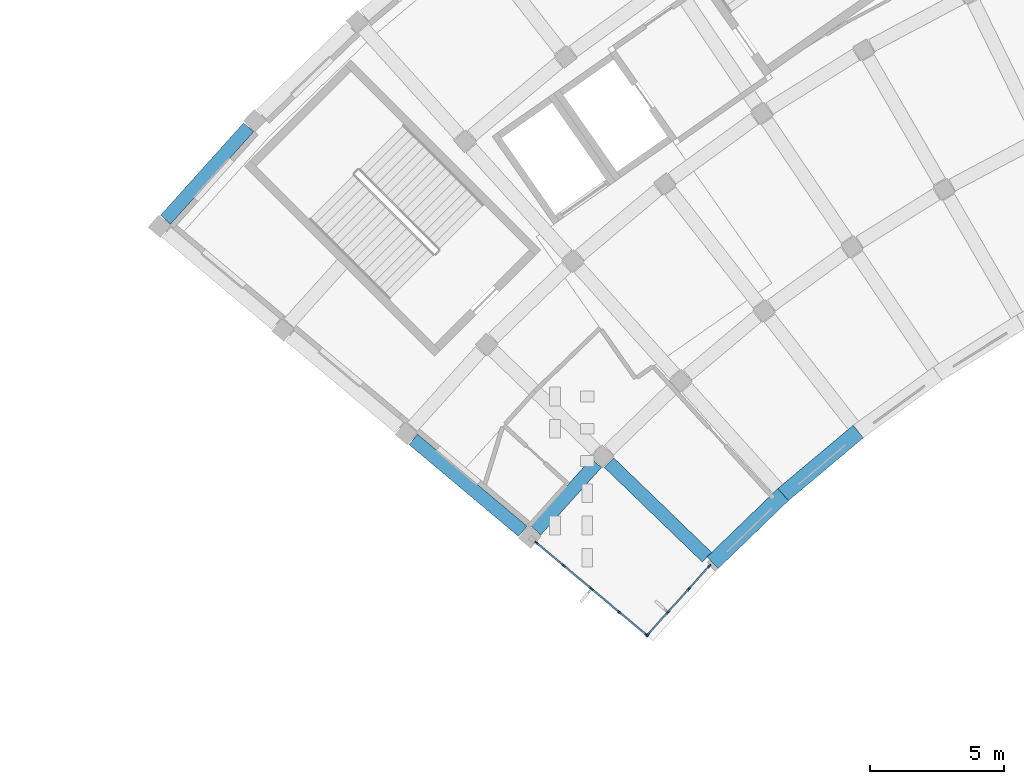
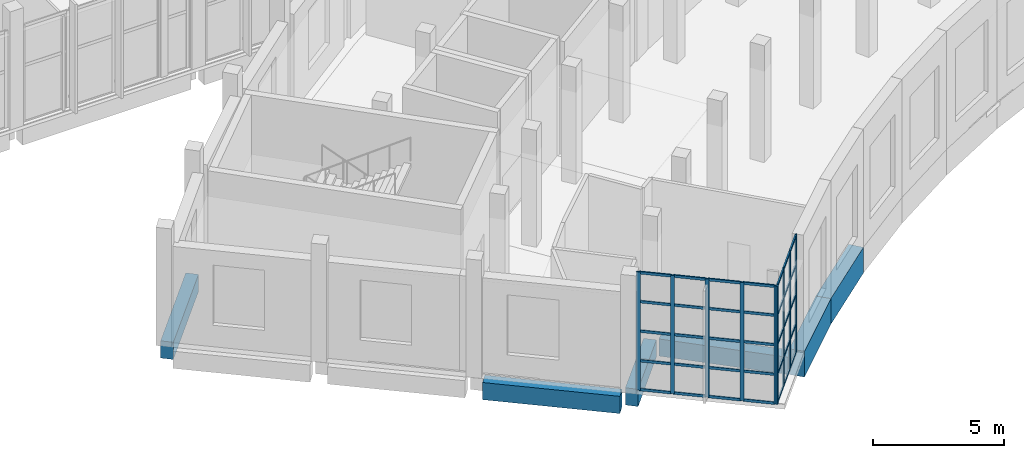
# One storey, part 3 of 87: 44 members, 6 beams, 2 elements without a shape of their own.
"""IFC4 building model written with IfcOpenShell, lengths in metres."""

from ifc_helpers import new_model, si_unit, direction, frame, origin, origin_2d, place, context, subcontext, project, spatial, rectangle, extrude, material, layer, layer_set, material_profile, profile_set, type_object, element, aggregate, save


model = new_model("IFC4")

# Units and contexts
model_context = context("Model", 3, precision=1e-05, world=origin(), true_north=direction((0.0, 1.0)))
body_context = subcontext(model_context, "Body", "Model", "MODEL_VIEW")
ifc_project = project(units=[si_unit("LENGTHUNIT", "METRE"), si_unit("AREAUNIT", "SQUARE_METRE"), si_unit("VOLUMEUNIT", "CUBIC_METRE"), si_unit("PLANEANGLEUNIT", "RADIAN"), si_unit("MASSUNIT", "GRAM", prefix="KILO")], contexts=[model_context])

# Site, building, storey
site_placement = place(None, origin())
site = spatial("IfcSite", under=ifc_project, at=site_placement, CompositionType="ELEMENT")
building_placement = place(site_placement, origin())
building = spatial("IfcBuilding", under=site, at=building_placement, Name="Lunette Opera House", CompositionType="ELEMENT")
storey_placement = place(building_placement, frame((0.0, 0.0, 11.5)))
storey = spatial("IfcBuildingStorey", under=building, at=storey_placement, Name="L02", CompositionType="ELEMENT", Elevation=11.5)

# Curtain wall, members
ifc_material_1 = material(Name="Aluminium", Category="aluminium")
ifc_layer = layer(ifc_material_1, 0.159912109375)
ifc_layer_set = layer_set([ifc_layer], Name="Aluminium")
curtain_wall_type = type_object("IfcCurtainWallType", Name="CORNER CURTAIN WALL", PredefinedType="NOTDEFINED", material=ifc_layer_set)
curtain_wall_1_placement = place(storey_placement, origin())
curtain_wall_1 = element("IfcCurtainWall", 1, at=curtain_wall_1_placement, inside=storey, type_object=curtain_wall_type, Name="Corner Curtain Wall GC-W1 L02", PredefinedType="NOTDEFINED")
ifc_material_2 = material(Name="Aluminium", Category="aluminium")
ifc_material_profile_1 = material_profile(ifc_material_2, rectangle(XDim=0.06005859375, YDim=0.159912109375, at=origin_2d()), Name="MULLION 60 X 160")
ifc_profile_set_1 = profile_set([ifc_material_profile_1], Name="Aluminium")
member_type_1 = type_object("IfcMemberType", Name="MULLION 60 X 160", PredefinedType="MULLION", material=ifc_profile_set_1)
member_1_placement = place(storey_placement, frame((58.25390625, 36.20068359375, 0.0), z_axis=(0.0, 0.0, 1.0), x_axis=(0.744216793887, -0.667938143615, 0.0)))
member_1 = element("IfcMember", 2, at=member_1_placement, type_object=member_type_1, Name="FC-X2165 mullion 1", PredefinedType="MULLION", context=body_context, shape_type="SweptSolid", body=[
    extrude(rectangle(XDim=0.06005859375, YDim=0.159912109375, at=origin_2d()), origin(), (0.0, 0.0, 1.0), 5.5),
])
member_2_placement = place(storey_placement, frame((57.49462890625, 35.354736328125, 0.0), z_axis=(0.0, 0.0, 1.0), x_axis=(0.744216793887, -0.667938143615, 0.0)))
member_2 = element("IfcMember", 3, at=member_2_placement, type_object=member_type_1, Name="FC-X2165 mullion 2", PredefinedType="MULLION", context=body_context, shape_type="SweptSolid", body=[
    extrude(rectangle(XDim=0.06005859375, YDim=0.159912109375, at=origin_2d()), origin(), (0.0, 0.0, 1.0), 5.5),
])
member_3_placement = place(storey_placement, frame((56.71533203125, 34.486328125, 0.0), z_axis=(0.0, 0.0, 1.0), x_axis=(0.744216793887, -0.667938143615, 0.0)))
member_3 = element("IfcMember", 4, at=member_3_placement, type_object=member_type_1, Name="FC-X2165 mullion 3", PredefinedType="MULLION", context=body_context, shape_type="SweptSolid", body=[
    extrude(rectangle(XDim=0.06005859375, YDim=0.159912109375, at=origin_2d()), origin(), (0.0, 0.0, 1.0), 5.5),
])
member_4_placement = place(storey_placement, frame((55.9560546875, 33.640380859375, 0.0), z_axis=(0.0, 0.0, 1.0), x_axis=(0.744216793887, -0.667938143615, 0.0)))
member_4 = element("IfcMember", 5, at=member_4_placement, type_object=member_type_1, Name="FC-X2165 mullion 4", PredefinedType="MULLION", context=body_context, shape_type="SweptSolid", body=[
    extrude(rectangle(XDim=0.06005859375, YDim=0.159912109375, at=origin_2d()), origin(), (0.0, 0.0, 1.0), 5.5),
])

curtain_wall_2_placement = place(storey_placement, origin())
curtain_wall_2 = element("IfcCurtainWall", 6, at=curtain_wall_2_placement, inside=storey, type_object=curtain_wall_type, Name="Corner Curtain Wall GC-W2 L02", PredefinedType="NOTDEFINED")
member_5_placement = place(storey_placement, frame((55.9130859375, 33.63720703125, 0.0), z_axis=(0.0, 0.0, 1.0), x_axis=(-0.642840201999, -0.766000309852, 0.0)))
member_5 = element("IfcMember", 7, at=member_5_placement, type_object=member_type_1, Name="FC-X2166 mullion 1", PredefinedType="MULLION", context=body_context, shape_type="SweptSolid", body=[
    extrude(rectangle(XDim=0.06005859375, YDim=0.159912109375, at=origin_2d()), origin(), (0.0, 0.0, 1.0), 5.5),
])
member_6_placement = place(storey_placement, frame((54.902099609375, 34.48583984375, 0.0), z_axis=(0.0, 0.0, 1.0), x_axis=(-0.642840201999, -0.766000309852, 0.0)))
member_6 = element("IfcMember", 8, at=member_6_placement, type_object=member_type_1, Name="FC-X2166 mullion 2", PredefinedType="MULLION", context=body_context, shape_type="SweptSolid", body=[
    extrude(rectangle(XDim=0.06005859375, YDim=0.159912109375, at=origin_2d()), origin(), (0.0, 0.0, 1.0), 5.5),
])
member_7_placement = place(storey_placement, frame((53.867919921875, 35.353515625, 0.0), z_axis=(0.0, 0.0, 1.0), x_axis=(-0.642840201999, -0.766000309852, 0.0)))
member_7 = element("IfcMember", 9, at=member_7_placement, type_object=member_type_1, Name="FC-X2166 mullion 3", PredefinedType="MULLION", context=body_context, shape_type="SweptSolid", body=[
    extrude(rectangle(XDim=0.06005859375, YDim=0.159912109375, at=origin_2d()), origin(), (0.0, 0.0, 1.0), 5.5),
])
member_8_placement = place(storey_placement, frame((52.833984375, 36.22119140625, 0.0), z_axis=(0.0, 0.0, 1.0), x_axis=(-0.642840201999, -0.766000309852, 0.0)))
member_8 = element("IfcMember", 10, at=member_8_placement, type_object=member_type_1, Name="FC-X2166 mullion 4", PredefinedType="MULLION", context=body_context, shape_type="SweptSolid", body=[
    extrude(rectangle(XDim=0.06005859375, YDim=0.159912109375, at=origin_2d()), origin(), (0.0, 0.0, 1.0), 5.5),
])
member_9_placement = place(storey_placement, frame((51.822998046875, 37.06982421875, 0.0), z_axis=(0.0, 0.0, 1.0), x_axis=(-0.642840201999, -0.766000309852, 0.0)))
member_9 = element("IfcMember", 11, at=member_9_placement, type_object=member_type_1, Name="FC-X2166 mullion 5", PredefinedType="MULLION", context=body_context, shape_type="SweptSolid", body=[
    extrude(rectangle(XDim=0.06005859375, YDim=0.159912109375, at=origin_2d()), origin(), (0.0, 0.0, 1.0), 5.5),
])

# Beams
ifc_material_3 = material(Name="Concrete C35/45", Category="concrete")
ifc_material_profile_2 = material_profile(ifc_material_3, rectangle(XDim=0.5, YDim=0.800048828125, at=origin_2d()), Name="RC BEAM 500X800")
ifc_profile_set_2 = profile_set([ifc_material_profile_2], Name="Concrete C35/45")
beam_type_1 = type_object("IfcBeamType", Name="RC BEAM 500X800", PredefinedType="BEAM", material=ifc_profile_set_2)
beam_1_placement = place(storey_placement, frame((51.30908203125, 37.5, -0.6201171875), z_axis=(-0.766004921062, 0.642834707299, 0.0), x_axis=(-0.642834707299, -0.766004921062, 0.0)))
element("IfcBeam", 12, at=beam_1_placement, inside=storey, type_object=beam_type_1, Name="beam-FC-L02-L02-RB-RL-01-2", PredefinedType="BEAM", context=body_context, shape_type="SweptSolid", body=[
    extrude(rectangle(XDim=0.5, YDim=0.800048828125, at=origin_2d()), origin(), (0.0, 0.0, 1.0), 5.320068359375),
])
beam_2_placement = place(storey_placement, frame((58.169921875, 36.531982421875, -0.6201171875), z_axis=(-0.719326780477, 0.694671852668, 0.0), x_axis=(-0.694671852668, -0.719326780477, 0.0)))
element("IfcBeam", 13, at=beam_2_placement, inside=storey, type_object=beam_type_1, Name="beam-FC-L02-L02-RB-RL-02-1", PredefinedType="BEAM", context=body_context, shape_type="SweptSolid", body=[
    extrude(rectangle(XDim=0.5, YDim=0.800048828125, at=origin_2d()), origin(), (0.0, 0.0, 1.0), 5.070068359375),
])
beam_3_placement = place(storey_placement, frame((51.797119140625, 37.534912109375, -0.6201171875), z_axis=(0.669120953551, 0.743153516791, 0.0), x_axis=(-0.743153516791, 0.669120953551, 0.0)))
element("IfcBeam", 14, at=beam_3_placement, inside=storey, type_object=beam_type_1, Name="beam-FC-L02-L02-RG-AR-M1-RL-01", PredefinedType="BEAM", context=body_context, shape_type="SweptSolid", body=[
    extrude(rectangle(XDim=0.5, YDim=0.800048828125, at=origin_2d()), origin(), (0.0, 0.0, 1.0), 3.366943359375),
])
beam_4_placement = place(storey_placement, frame((38.009033203125, 49.10498046875, -0.6201171875), z_axis=(0.669034751379, 0.743231122496, 0.0), x_axis=(-0.743231122496, 0.669034751379, 0.0)))
element("IfcBeam", 15, at=beam_4_placement, inside=storey, type_object=beam_type_1, Name="beam-FC-L02-L02-RG-AR-C-RL-01", PredefinedType="BEAM", context=body_context, shape_type="SweptSolid", body=[
    extrude(rectangle(XDim=0.5, YDim=0.800048828125, at=origin_2d()), origin(), (0.0, 0.0, 1.0), 4.623046875),
])
ifc_material_4 = material(Name="Concrete C40/50", Category="concrete")
ifc_material_profile_3 = material_profile(ifc_material_4, rectangle(XDim=0.60009765625, YDim=1.199951171875, at=origin_2d()), Name="TRANSFER BEAM 600X1200")
ifc_profile_set_3 = profile_set([ifc_material_profile_3], Name="Concrete C40/50")
beam_type_2 = type_object("IfcBeamType", Name="TRANSFER BEAM 600X1200", PredefinedType="BEAM", material=ifc_profile_set_3)
beam_5_placement = place(storey_placement, frame((58.37890625, 36.3310546875, -0.60009765625), z_axis=(0.719342665611, 0.69465540337, 0.0), x_axis=(-0.69465540337, 0.719342665611, 0.0)))
element("IfcBeam", 16, at=beam_5_placement, inside=storey, type_object=beam_type_2, Name="beam-FC-L02-EB01", PredefinedType="BEAM", context=body_context, shape_type="SweptSolid", body=[
    extrude(rectangle(XDim=0.60009765625, YDim=1.199951171875, at=origin_2d()), origin(), (0.0, 0.0, 1.0), 3.649169921875),
])
beam_6_placement = place(storey_placement, frame((61.00390625, 38.865966796875, -0.60009765625), z_axis=(0.766063027659, 0.642765460844, 0.0), x_axis=(-0.642765460844, 0.766063027659, 0.0)))
element("IfcBeam", 17, at=beam_6_placement, inside=storey, type_object=beam_type_2, Name="beam-FC-L02-EB02", PredefinedType="BEAM", context=body_context, shape_type="SweptSolid", body=[
    extrude(rectangle(XDim=0.60009765625, YDim=1.199951171875, at=origin_2d()), origin(), (0.0, 0.0, 1.0), 3.6513671875),
])

# Member
ifc_material_5 = material(Name="Aluminium", Category="aluminium")
ifc_material_profile_4 = material_profile(ifc_material_5, rectangle(XDim=0.06005859375, YDim=0.1201171875, at=origin_2d()), Name="TRANSOM 60 X 120")
ifc_profile_set_4 = profile_set([ifc_material_profile_4], Name="Aluminium")
member_type_2 = type_object("IfcMemberType", Name="TRANSOM 60 X 120", PredefinedType="USERDEFINED", material=ifc_profile_set_4)
member_10_placement = place(storey_placement, frame((58.23388671875, 36.178466796875, 0.030029296875), z_axis=(-0.667874323451, -0.744274067851, 0.0), x_axis=(0.744274067851, -0.667874323451, 0.0)))
member_10 = element("IfcMember", 18, at=member_10_placement, type_object=member_type_2, Name="FC-X2165 transom 1.1", ObjectType="TRANSOM", PredefinedType="USERDEFINED", context=body_context, shape_type="SweptSolid", body=[
    extrude(rectangle(XDim=0.06005859375, YDim=0.1201171875, at=origin_2d()), origin(), (0.0, 0.0, 1.0), 1.076904296875),
])

member_11_placement = place(storey_placement, frame((58.23388671875, 36.178466796875, 1.375), z_axis=(-0.667874323451, -0.744274067851, 0.0), x_axis=(0.744274067851, -0.667874323451, 0.0)))
member_11 = element("IfcMember", 19, at=member_11_placement, type_object=member_type_2, Name="FC-X2165 transom 1.2", ObjectType="TRANSOM", PredefinedType="USERDEFINED", context=body_context, shape_type="SweptSolid", body=[
    extrude(rectangle(XDim=0.06005859375, YDim=0.1201171875, at=origin_2d()), origin(), (0.0, 0.0, 1.0), 1.076904296875),
])

member_12_placement = place(storey_placement, frame((58.23388671875, 36.178466796875, 2.75), z_axis=(-0.667874323451, -0.744274067851, 0.0), x_axis=(0.744274067851, -0.667874323451, 0.0)))
member_12 = element("IfcMember", 20, at=member_12_placement, type_object=member_type_2, Name="FC-X2165 transom 1.3", ObjectType="TRANSOM", PredefinedType="USERDEFINED", context=body_context, shape_type="SweptSolid", body=[
    extrude(rectangle(XDim=0.06005859375, YDim=0.1201171875, at=origin_2d()), origin(), (0.0, 0.0, 1.0), 1.076904296875),
])

member_13_placement = place(storey_placement, frame((58.23388671875, 36.178466796875, 4.125), z_axis=(-0.667874323451, -0.744274067851, 0.0), x_axis=(0.744274067851, -0.667874323451, 0.0)))
member_13 = element("IfcMember", 21, at=member_13_placement, type_object=member_type_2, Name="FC-X2165 transom 1.4", ObjectType="TRANSOM", PredefinedType="USERDEFINED", context=body_context, shape_type="SweptSolid", body=[
    extrude(rectangle(XDim=0.06005859375, YDim=0.1201171875, at=origin_2d()), origin(), (0.0, 0.0, 1.0), 1.076904296875),
])

member_14_placement = place(storey_placement, frame((58.23388671875, 36.178466796875, 5.469970703125), z_axis=(-0.667874323451, -0.744274067851, 0.0), x_axis=(0.744274067851, -0.667874323451, 0.0)))
member_14 = element("IfcMember", 22, at=member_14_placement, type_object=member_type_2, Name="FC-X2165 transom 1.5", ObjectType="TRANSOM", PredefinedType="USERDEFINED", context=body_context, shape_type="SweptSolid", body=[
    extrude(rectangle(XDim=0.06005859375, YDim=0.1201171875, at=origin_2d()), origin(), (0.0, 0.0, 1.0), 1.076904296875),
])

member_15_placement = place(storey_placement, frame((57.474609375, 35.332275390625, 0.030029296875), z_axis=(-0.667916007316, -0.744236660728, 0.0), x_axis=(0.744236660728, -0.667916007316, 0.0)))
member_15 = element("IfcMember", 23, at=member_15_placement, type_object=member_type_2, Name="FC-X2165 transom 2.1", ObjectType="TRANSOM", PredefinedType="USERDEFINED", context=body_context, shape_type="SweptSolid", body=[
    extrude(rectangle(XDim=0.06005859375, YDim=0.1201171875, at=origin_2d()), origin(), (0.0, 0.0, 1.0), 1.10693359375),
])

member_16_placement = place(storey_placement, frame((57.474609375, 35.332275390625, 1.375), z_axis=(-0.667916007316, -0.744236660728, 0.0), x_axis=(0.744236660728, -0.667916007316, 0.0)))
member_16 = element("IfcMember", 24, at=member_16_placement, type_object=member_type_2, Name="FC-X2165 transom 2.2", ObjectType="TRANSOM", PredefinedType="USERDEFINED", context=body_context, shape_type="SweptSolid", body=[
    extrude(rectangle(XDim=0.06005859375, YDim=0.1201171875, at=origin_2d()), origin(), (0.0, 0.0, 1.0), 1.10693359375),
])

member_17_placement = place(storey_placement, frame((57.474609375, 35.332275390625, 2.75), z_axis=(-0.667916007316, -0.744236660728, 0.0), x_axis=(0.744236660728, -0.667916007316, 0.0)))
member_17 = element("IfcMember", 25, at=member_17_placement, type_object=member_type_2, Name="FC-X2165 transom 2.3", ObjectType="TRANSOM", PredefinedType="USERDEFINED", context=body_context, shape_type="SweptSolid", body=[
    extrude(rectangle(XDim=0.06005859375, YDim=0.1201171875, at=origin_2d()), origin(), (0.0, 0.0, 1.0), 1.10693359375),
])

member_18_placement = place(storey_placement, frame((57.474609375, 35.332275390625, 4.125), z_axis=(-0.667916007316, -0.744236660728, 0.0), x_axis=(0.744236660728, -0.667916007316, 0.0)))
member_18 = element("IfcMember", 26, at=member_18_placement, type_object=member_type_2, Name="FC-X2165 transom 2.4", ObjectType="TRANSOM", PredefinedType="USERDEFINED", context=body_context, shape_type="SweptSolid", body=[
    extrude(rectangle(XDim=0.06005859375, YDim=0.1201171875, at=origin_2d()), origin(), (0.0, 0.0, 1.0), 1.10693359375),
])

member_19_placement = place(storey_placement, frame((57.474609375, 35.332275390625, 5.469970703125), z_axis=(-0.667916007316, -0.744236660728, 0.0), x_axis=(0.744236660728, -0.667916007316, 0.0)))
member_19 = element("IfcMember", 27, at=member_19_placement, type_object=member_type_2, Name="FC-X2165 transom 2.5", ObjectType="TRANSOM", PredefinedType="USERDEFINED", context=body_context, shape_type="SweptSolid", body=[
    extrude(rectangle(XDim=0.06005859375, YDim=0.1201171875, at=origin_2d()), origin(), (0.0, 0.0, 1.0), 1.10693359375),
])

member_20_placement = place(storey_placement, frame((56.6953125, 34.464111328125, 0.030029296875), z_axis=(-0.667874323451, -0.744274067851, 0.0), x_axis=(0.744274067851, -0.667874323451, 0.0)))
member_20 = element("IfcMember", 28, at=member_20_placement, type_object=member_type_2, Name="FC-X2165 transom 3.1", ObjectType="TRANSOM", PredefinedType="USERDEFINED", context=body_context, shape_type="SweptSolid", body=[
    extrude(rectangle(XDim=0.06005859375, YDim=0.1201171875, at=origin_2d()), origin(), (0.0, 0.0, 1.0), 1.076904296875),
])

member_21_placement = place(storey_placement, frame((56.6953125, 34.464111328125, 1.375), z_axis=(-0.667874323451, -0.744274067851, 0.0), x_axis=(0.744274067851, -0.667874323451, 0.0)))
member_21 = element("IfcMember", 29, at=member_21_placement, type_object=member_type_2, Name="FC-X2165 transom 3.2", ObjectType="TRANSOM", PredefinedType="USERDEFINED", context=body_context, shape_type="SweptSolid", body=[
    extrude(rectangle(XDim=0.06005859375, YDim=0.1201171875, at=origin_2d()), origin(), (0.0, 0.0, 1.0), 1.076904296875),
])

member_22_placement = place(storey_placement, frame((56.6953125, 34.464111328125, 2.75), z_axis=(-0.667874323451, -0.744274067851, 0.0), x_axis=(0.744274067851, -0.667874323451, 0.0)))
member_22 = element("IfcMember", 30, at=member_22_placement, type_object=member_type_2, Name="FC-X2165 transom 3.3", ObjectType="TRANSOM", PredefinedType="USERDEFINED", context=body_context, shape_type="SweptSolid", body=[
    extrude(rectangle(XDim=0.06005859375, YDim=0.1201171875, at=origin_2d()), origin(), (0.0, 0.0, 1.0), 1.076904296875),
])

member_23_placement = place(storey_placement, frame((56.6953125, 34.464111328125, 4.125), z_axis=(-0.667874323451, -0.744274067851, 0.0), x_axis=(0.744274067851, -0.667874323451, 0.0)))
member_23 = element("IfcMember", 31, at=member_23_placement, type_object=member_type_2, Name="FC-X2165 transom 3.4", ObjectType="TRANSOM", PredefinedType="USERDEFINED", context=body_context, shape_type="SweptSolid", body=[
    extrude(rectangle(XDim=0.06005859375, YDim=0.1201171875, at=origin_2d()), origin(), (0.0, 0.0, 1.0), 1.076904296875),
])

member_24_placement = place(storey_placement, frame((56.6953125, 34.464111328125, 5.469970703125), z_axis=(-0.667874323451, -0.744274067851, 0.0), x_axis=(0.744274067851, -0.667874323451, 0.0)))
member_24 = element("IfcMember", 32, at=member_24_placement, type_object=member_type_2, Name="FC-X2165 transom 3.5", ObjectType="TRANSOM", PredefinedType="USERDEFINED", context=body_context, shape_type="SweptSolid", body=[
    extrude(rectangle(XDim=0.06005859375, YDim=0.1201171875, at=origin_2d()), origin(), (0.0, 0.0, 1.0), 1.076904296875),
])

aggregate(curtain_wall_1, [member_1, member_2, member_3, member_4, member_10, member_11, member_12, member_13, member_14, member_15, member_16, member_17, member_18, member_19, member_20, member_21, member_22, member_23, member_24])

member_25_placement = place(storey_placement, frame((55.89013671875, 33.656494140625, 0.030029296875), z_axis=(-0.765945288288, 0.642905759307, 0.0), x_axis=(-0.642905759307, -0.765945288288, 0.0)))
member_25 = element("IfcMember", 33, at=member_25_placement, type_object=member_type_2, Name="FC-X2166 transom 1.1", ObjectType="TRANSOM", PredefinedType="USERDEFINED", context=body_context, shape_type="SweptSolid", body=[
    extrude(rectangle(XDim=0.06005859375, YDim=0.1201171875, at=origin_2d()), origin(), (0.0, 0.0, 1.0), 1.260009765625),
])

member_26_placement = place(storey_placement, frame((55.89013671875, 33.656494140625, 1.375), z_axis=(-0.765945288288, 0.642905759307, 0.0), x_axis=(-0.642905759307, -0.765945288288, 0.0)))
member_26 = element("IfcMember", 34, at=member_26_placement, type_object=member_type_2, Name="FC-X2166 transom 1.2", ObjectType="TRANSOM", PredefinedType="USERDEFINED", context=body_context, shape_type="SweptSolid", body=[
    extrude(rectangle(XDim=0.06005859375, YDim=0.1201171875, at=origin_2d()), origin(), (0.0, 0.0, 1.0), 1.260009765625),
])

member_27_placement = place(storey_placement, frame((55.89013671875, 33.656494140625, 2.75), z_axis=(-0.765945288288, 0.642905759307, 0.0), x_axis=(-0.642905759307, -0.765945288288, 0.0)))
member_27 = element("IfcMember", 35, at=member_27_placement, type_object=member_type_2, Name="FC-X2166 transom 1.3", ObjectType="TRANSOM", PredefinedType="USERDEFINED", context=body_context, shape_type="SweptSolid", body=[
    extrude(rectangle(XDim=0.06005859375, YDim=0.1201171875, at=origin_2d()), origin(), (0.0, 0.0, 1.0), 1.260009765625),
])

member_28_placement = place(storey_placement, frame((55.89013671875, 33.656494140625, 4.125), z_axis=(-0.765945288288, 0.642905759307, 0.0), x_axis=(-0.642905759307, -0.765945288288, 0.0)))
member_28 = element("IfcMember", 36, at=member_28_placement, type_object=member_type_2, Name="FC-X2166 transom 1.4", ObjectType="TRANSOM", PredefinedType="USERDEFINED", context=body_context, shape_type="SweptSolid", body=[
    extrude(rectangle(XDim=0.06005859375, YDim=0.1201171875, at=origin_2d()), origin(), (0.0, 0.0, 1.0), 1.260009765625),
])

member_29_placement = place(storey_placement, frame((55.89013671875, 33.656494140625, 5.469970703125), z_axis=(-0.765945288288, 0.642905759307, 0.0), x_axis=(-0.642905759307, -0.765945288288, 0.0)))
member_29 = element("IfcMember", 37, at=member_29_placement, type_object=member_type_2, Name="FC-X2166 transom 1.5", ObjectType="TRANSOM", PredefinedType="USERDEFINED", context=body_context, shape_type="SweptSolid", body=[
    extrude(rectangle(XDim=0.06005859375, YDim=0.1201171875, at=origin_2d()), origin(), (0.0, 0.0, 1.0), 1.260009765625),
])

member_30_placement = place(storey_placement, frame((54.87890625, 34.505126953125, 0.030029296875), z_axis=(-0.76602917681, 0.642805802927, 0.0), x_axis=(-0.642805802927, -0.76602917681, 0.0)))
member_30 = element("IfcMember", 38, at=member_30_placement, type_object=member_type_2, Name="FC-X2166 transom 2.1", ObjectType="TRANSOM", PredefinedType="USERDEFINED", context=body_context, shape_type="SweptSolid", body=[
    extrude(rectangle(XDim=0.06005859375, YDim=0.1201171875, at=origin_2d()), origin(), (0.0, 0.0, 1.0), 1.289794921875),
])

member_31_placement = place(storey_placement, frame((54.87890625, 34.505126953125, 1.375), z_axis=(-0.76602917681, 0.642805802927, 0.0), x_axis=(-0.642805802927, -0.76602917681, 0.0)))
member_31 = element("IfcMember", 39, at=member_31_placement, type_object=member_type_2, Name="FC-X2166 transom 2.2", ObjectType="TRANSOM", PredefinedType="USERDEFINED", context=body_context, shape_type="SweptSolid", body=[
    extrude(rectangle(XDim=0.06005859375, YDim=0.1201171875, at=origin_2d()), origin(), (0.0, 0.0, 1.0), 1.289794921875),
])

member_32_placement = place(storey_placement, frame((54.87890625, 34.505126953125, 2.75), z_axis=(-0.76602917681, 0.642805802927, 0.0), x_axis=(-0.642805802927, -0.76602917681, 0.0)))
member_32 = element("IfcMember", 40, at=member_32_placement, type_object=member_type_2, Name="FC-X2166 transom 2.3", ObjectType="TRANSOM", PredefinedType="USERDEFINED", context=body_context, shape_type="SweptSolid", body=[
    extrude(rectangle(XDim=0.06005859375, YDim=0.1201171875, at=origin_2d()), origin(), (0.0, 0.0, 1.0), 1.289794921875),
])

member_33_placement = place(storey_placement, frame((54.87890625, 34.505126953125, 4.125), z_axis=(-0.76602917681, 0.642805802927, 0.0), x_axis=(-0.642805802927, -0.76602917681, 0.0)))
member_33 = element("IfcMember", 41, at=member_33_placement, type_object=member_type_2, Name="FC-X2166 transom 2.4", ObjectType="TRANSOM", PredefinedType="USERDEFINED", context=body_context, shape_type="SweptSolid", body=[
    extrude(rectangle(XDim=0.06005859375, YDim=0.1201171875, at=origin_2d()), origin(), (0.0, 0.0, 1.0), 1.289794921875),
])

member_34_placement = place(storey_placement, frame((54.87890625, 34.505126953125, 5.469970703125), z_axis=(-0.76602917681, 0.642805802927, 0.0), x_axis=(-0.642805802927, -0.76602917681, 0.0)))
member_34 = element("IfcMember", 42, at=member_34_placement, type_object=member_type_2, Name="FC-X2166 transom 2.5", ObjectType="TRANSOM", PredefinedType="USERDEFINED", context=body_context, shape_type="SweptSolid", body=[
    extrude(rectangle(XDim=0.06005859375, YDim=0.1201171875, at=origin_2d()), origin(), (0.0, 0.0, 1.0), 1.289794921875),
])

member_35_placement = place(storey_placement, frame((53.844970703125, 35.372802734375, 0.030029296875), z_axis=(-0.76602917681, 0.642805802927, 0.0), x_axis=(-0.642805802927, -0.76602917681, 0.0)))
member_35 = element("IfcMember", 43, at=member_35_placement, type_object=member_type_2, Name="FC-X2166 transom 3.1", ObjectType="TRANSOM", PredefinedType="USERDEFINED", context=body_context, shape_type="SweptSolid", body=[
    extrude(rectangle(XDim=0.06005859375, YDim=0.1201171875, at=origin_2d()), origin(), (0.0, 0.0, 1.0), 1.289794921875),
])

member_36_placement = place(storey_placement, frame((53.844970703125, 35.372802734375, 1.375), z_axis=(-0.76602917681, 0.642805802927, 0.0), x_axis=(-0.642805802927, -0.76602917681, 0.0)))
member_36 = element("IfcMember", 44, at=member_36_placement, type_object=member_type_2, Name="FC-X2166 transom 3.2", ObjectType="TRANSOM", PredefinedType="USERDEFINED", context=body_context, shape_type="SweptSolid", body=[
    extrude(rectangle(XDim=0.06005859375, YDim=0.1201171875, at=origin_2d()), origin(), (0.0, 0.0, 1.0), 1.289794921875),
])

member_37_placement = place(storey_placement, frame((53.844970703125, 35.372802734375, 2.75), z_axis=(-0.76602917681, 0.642805802927, 0.0), x_axis=(-0.642805802927, -0.76602917681, 0.0)))
member_37 = element("IfcMember", 45, at=member_37_placement, type_object=member_type_2, Name="FC-X2166 transom 3.3", ObjectType="TRANSOM", PredefinedType="USERDEFINED", context=body_context, shape_type="SweptSolid", body=[
    extrude(rectangle(XDim=0.06005859375, YDim=0.1201171875, at=origin_2d()), origin(), (0.0, 0.0, 1.0), 1.289794921875),
])

member_38_placement = place(storey_placement, frame((53.844970703125, 35.372802734375, 4.125), z_axis=(-0.76602917681, 0.642805802927, 0.0), x_axis=(-0.642805802927, -0.76602917681, 0.0)))
member_38 = element("IfcMember", 46, at=member_38_placement, type_object=member_type_2, Name="FC-X2166 transom 3.4", ObjectType="TRANSOM", PredefinedType="USERDEFINED", context=body_context, shape_type="SweptSolid", body=[
    extrude(rectangle(XDim=0.06005859375, YDim=0.1201171875, at=origin_2d()), origin(), (0.0, 0.0, 1.0), 1.289794921875),
])

member_39_placement = place(storey_placement, frame((53.844970703125, 35.372802734375, 5.469970703125), z_axis=(-0.76602917681, 0.642805802927, 0.0), x_axis=(-0.642805802927, -0.76602917681, 0.0)))
member_39 = element("IfcMember", 47, at=member_39_placement, type_object=member_type_2, Name="FC-X2166 transom 3.5", ObjectType="TRANSOM", PredefinedType="USERDEFINED", context=body_context, shape_type="SweptSolid", body=[
    extrude(rectangle(XDim=0.06005859375, YDim=0.1201171875, at=origin_2d()), origin(), (0.0, 0.0, 1.0), 1.289794921875),
])

member_40_placement = place(storey_placement, frame((52.81103515625, 36.240478515625, 0.030029296875), z_axis=(-0.765945288288, 0.642905759307, 0.0), x_axis=(-0.642905759307, -0.765945288288, 0.0)))
member_40 = element("IfcMember", 48, at=member_40_placement, type_object=member_type_2, Name="FC-X2166 transom 4.1", ObjectType="TRANSOM", PredefinedType="USERDEFINED", context=body_context, shape_type="SweptSolid", body=[
    extrude(rectangle(XDim=0.06005859375, YDim=0.1201171875, at=origin_2d()), origin(), (0.0, 0.0, 1.0), 1.260009765625),
])

member_41_placement = place(storey_placement, frame((52.81103515625, 36.240478515625, 1.375), z_axis=(-0.765945288288, 0.642905759307, 0.0), x_axis=(-0.642905759307, -0.765945288288, 0.0)))
member_41 = element("IfcMember", 49, at=member_41_placement, type_object=member_type_2, Name="FC-X2166 transom 4.2", ObjectType="TRANSOM", PredefinedType="USERDEFINED", context=body_context, shape_type="SweptSolid", body=[
    extrude(rectangle(XDim=0.06005859375, YDim=0.1201171875, at=origin_2d()), origin(), (0.0, 0.0, 1.0), 1.260009765625),
])

member_42_placement = place(storey_placement, frame((52.81103515625, 36.240478515625, 2.75), z_axis=(-0.765945288288, 0.642905759307, 0.0), x_axis=(-0.642905759307, -0.765945288288, 0.0)))
member_42 = element("IfcMember", 50, at=member_42_placement, type_object=member_type_2, Name="FC-X2166 transom 4.3", ObjectType="TRANSOM", PredefinedType="USERDEFINED", context=body_context, shape_type="SweptSolid", body=[
    extrude(rectangle(XDim=0.06005859375, YDim=0.1201171875, at=origin_2d()), origin(), (0.0, 0.0, 1.0), 1.260009765625),
])

member_43_placement = place(storey_placement, frame((52.81103515625, 36.240478515625, 4.125), z_axis=(-0.765945288288, 0.642905759307, 0.0), x_axis=(-0.642905759307, -0.765945288288, 0.0)))
member_43 = element("IfcMember", 51, at=member_43_placement, type_object=member_type_2, Name="FC-X2166 transom 4.4", ObjectType="TRANSOM", PredefinedType="USERDEFINED", context=body_context, shape_type="SweptSolid", body=[
    extrude(rectangle(XDim=0.06005859375, YDim=0.1201171875, at=origin_2d()), origin(), (0.0, 0.0, 1.0), 1.260009765625),
])

member_44_placement = place(storey_placement, frame((52.81103515625, 36.240478515625, 5.469970703125), z_axis=(-0.765945288288, 0.642905759307, 0.0), x_axis=(-0.642905759307, -0.765945288288, 0.0)))
member_44 = element("IfcMember", 52, at=member_44_placement, type_object=member_type_2, Name="FC-X2166 transom 4.5", ObjectType="TRANSOM", PredefinedType="USERDEFINED", context=body_context, shape_type="SweptSolid", body=[
    extrude(rectangle(XDim=0.06005859375, YDim=0.1201171875, at=origin_2d()), origin(), (0.0, 0.0, 1.0), 1.260009765625),
])

aggregate(curtain_wall_2, [member_5, member_6, member_7, member_8, member_9, member_25, member_26, member_27, member_28, member_29, member_30, member_31, member_32, member_33, member_34, member_35, member_36, member_37, member_38, member_39, member_40, member_41, member_42, member_43, member_44])

save(model, "model.ifc")
